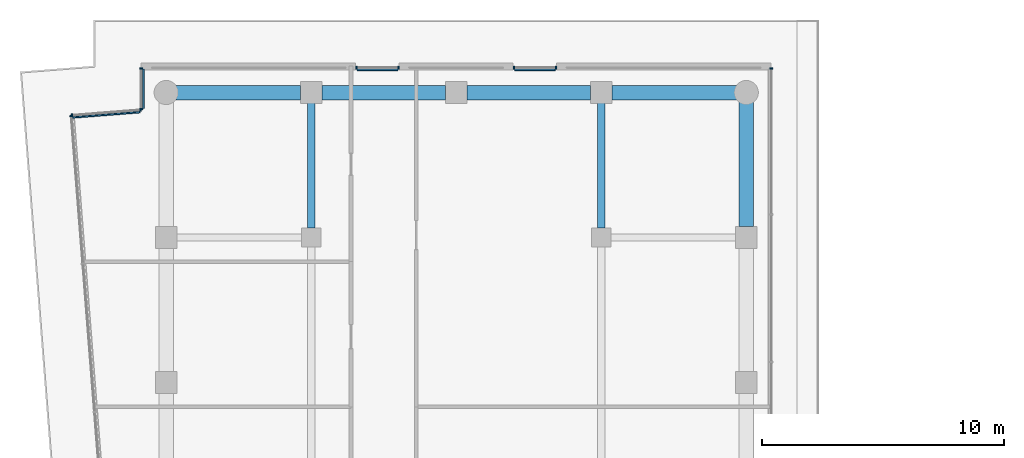
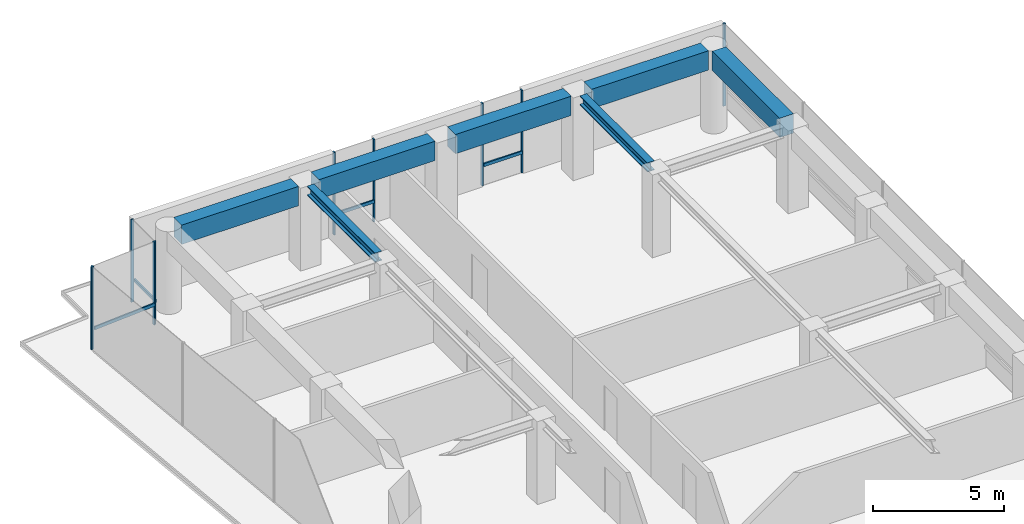
# One storey, part 18 of 25: 14 members, 7 beams, 6 elements without a shape of their own.
"""IFC4 building model written with IfcOpenShell, lengths in metres."""

from ifc_helpers import new_model, si_unit, direction, frame, origin, origin_2d, place, context, subcontext, project, spatial, rectangle, i_section, extrude, material, layer, layer_set, material_profile, profile_set, type_object, element, aggregate, save


model = new_model("IFC4")

# Units and contexts
model_context = context("Model", 3, precision=1e-05, world=origin(), true_north=direction((0.0, 1.0)))
body_context = subcontext(model_context, "Body", "Model", "MODEL_VIEW")
ifc_project = project(units=[si_unit("LENGTHUNIT", "METRE"), si_unit("AREAUNIT", "SQUARE_METRE"), si_unit("VOLUMEUNIT", "CUBIC_METRE"), si_unit("PLANEANGLEUNIT", "RADIAN"), si_unit("MASSUNIT", "GRAM", prefix="KILO")], contexts=[model_context])

# Site, building, storey
site_placement = place(None, origin())
site = spatial("IfcSite", under=ifc_project, at=site_placement, CompositionType="ELEMENT")
building_placement = place(site_placement, origin())
building = spatial("IfcBuilding", under=site, at=building_placement, Name="Welwitschia Terrace Campus", CompositionType="ELEMENT")
storey_placement = place(building_placement, frame((0.0, 0.0, 92.0)))
storey = spatial("IfcBuildingStorey", under=building, at=storey_placement, Name="L20", CompositionType="ELEMENT", Elevation=92.0)

# Beams
ifc_material_1 = material(Name="Steel S355", Category="steel")
ifc_material_profile_1 = material_profile(ifc_material_1, i_section(OverallWidth=0.306884765625, OverallDepth=0.431884765625, WebThickness=0.02099609375, FlangeThickness=0.0400390625, FilletRadius=0.027099609375, at=origin_2d()))
ifc_profile_set_1 = profile_set([ifc_material_profile_1], Name="Steel S355")
beam_type_1 = type_object("IfcBeamType", Name="Interior girder HE 400 M", PredefinedType="BEAM", material=ifc_profile_set_1)
for number, where, z_axis, x_axis, name in (
    (1, (6.0, 64.400390625, 3.634033203125), (0.0, 1.0, 0.0), (-1.0, 0.0, 0.0), "Girder GB3"),
    (2, (18.0, 64.400390625, 3.634033203125), (0.0, 1.0, 0.0), (-1.0, 0.0, 0.0), "Girder GB3"),
):
    element("IfcBeam", number, at=place(storey_placement, frame(where, z_axis=z_axis, x_axis=x_axis)), inside=storey, type_object=beam_type_1, Name=name, PredefinedType="BEAM", context=body_context, shape_type="SweptSolid", body=[
        extrude(i_section(OverallWidth=0.306884765625, OverallDepth=0.431884765625, WebThickness=0.02099609375, FlangeThickness=0.0400390625, FilletRadius=0.027099609375, at=origin_2d()), origin(), (0.0, 0.0, 1.0), 5.1591796875),
    ])

# Curtain wall, member
ifc_material_2 = material(Name="Bronze anodised aluminium", Category="aluminium")
ifc_layer = layer(ifc_material_2, 0.1201171875)
ifc_layer_set = layer_set([ifc_layer], Name="Bronze anodised aluminium")
curtain_wall_type = type_object("IfcCurtainWallType", Name="Curtain wall CW2 tower 6000", PredefinedType="NOTDEFINED", material=ifc_layer_set)
curtain_wall_1_placement = place(storey_placement, origin())
curtain_wall_1 = element("IfcCurtainWall", 3, at=curtain_wall_1_placement, inside=storey, type_object=curtain_wall_type, Name="CW L20.0.0", PredefinedType="NOTDEFINED")
ifc_material_3 = material(Name="Bronze anodised aluminium", Category="aluminium")
ifc_material_profile_2 = material_profile(ifc_material_3, rectangle(XDim=0.1201171875, YDim=0.06005859375, at=origin_2d()))
ifc_profile_set_2 = profile_set([ifc_material_profile_2], Name="Bronze anodised aluminium")
member_type_1 = type_object("IfcMemberType", Name="Mullion 60x120", PredefinedType="MULLION", material=ifc_profile_set_2)
member_1_placement = place(storey_placement, frame((-3.92431640625, 69.023193359375, 0.0), z_axis=(0.0, 0.0, 1.0), x_axis=(0.996917333733, 0.078459095728, 0.0)))
member_1 = element("IfcMember", 4, at=member_1_placement, type_object=member_type_1, Name="Mullion L20.0.0.0", PredefinedType="MULLION", context=body_context, shape_type="SweptSolid", body=[
    extrude(rectangle(XDim=0.1201171875, YDim=0.06005859375, at=origin_2d()), origin(), (0.0, 0.0, 1.0), 3.85009765625),
])
aggregate(curtain_wall_1, [member_1])

curtain_wall_2_placement = place(storey_placement, origin())
curtain_wall_2 = element("IfcCurtainWall", 5, at=curtain_wall_2_placement, inside=storey, type_object=curtain_wall_type, Name="CW L20.10.0", PredefinedType="NOTDEFINED")
member_2_placement = place(storey_placement, frame((25.030029296875, 71.0, 0.0), z_axis=(0.0, 0.0, 1.0), x_axis=(-1.0, 0.0, 0.0)))
member_2 = element("IfcMember", 6, at=member_2_placement, type_object=member_type_1, Name="Mullion L20.10.0.6", PredefinedType="MULLION", context=body_context, shape_type="SweptSolid", body=[
    extrude(rectangle(XDim=0.1201171875, YDim=0.06005859375, at=origin_2d()), origin(), (0.0, 0.0, 1.0), 3.85009765625),
])
aggregate(curtain_wall_2, [member_2])

# Curtain wall, members
curtain_wall_3_placement = place(storey_placement, origin())
curtain_wall_3 = element("IfcCurtainWall", 7, at=curtain_wall_3_placement, inside=storey, type_object=curtain_wall_type, Name="CW L20.11.S0", PredefinedType="NOTDEFINED")
member_3_placement = place(storey_placement, frame((16.12744140625, 71.030029296875, 0.0), z_axis=(0.0, 0.0, 1.0), x_axis=(0.0, -1.0, 0.0)))
member_3 = element("IfcMember", 8, at=member_3_placement, type_object=member_type_1, Name="Mullion L20.11.S0.0", PredefinedType="MULLION", context=body_context, shape_type="SweptSolid", body=[
    extrude(rectangle(XDim=0.1201171875, YDim=0.06005859375, at=origin_2d()), origin(), (0.0, 0.0, 1.0), 3.85009765625),
])
member_4_placement = place(storey_placement, frame((14.387451171875, 71.030029296875, 0.0), z_axis=(0.0, 0.0, 1.0), x_axis=(0.0, -1.0, 0.0)))
member_4 = element("IfcMember", 9, at=member_4_placement, type_object=member_type_1, Name="Mullion L20.11.S0.1", PredefinedType="MULLION", context=body_context, shape_type="SweptSolid", body=[
    extrude(rectangle(XDim=0.1201171875, YDim=0.06005859375, at=origin_2d()), origin(), (0.0, 0.0, 1.0), 3.85009765625),
])

curtain_wall_4_placement = place(storey_placement, origin())
curtain_wall_4 = element("IfcCurtainWall", 10, at=curtain_wall_4_placement, inside=storey, type_object=curtain_wall_type, Name="CW L20.11.S1", PredefinedType="NOTDEFINED")
member_5_placement = place(storey_placement, frame((9.612548828125, 71.030029296875, 0.0), z_axis=(0.0, 0.0, 1.0), x_axis=(0.0, -1.0, 0.0)))
member_5 = element("IfcMember", 11, at=member_5_placement, type_object=member_type_1, Name="Mullion L20.11.S1.0", PredefinedType="MULLION", context=body_context, shape_type="SweptSolid", body=[
    extrude(rectangle(XDim=0.1201171875, YDim=0.06005859375, at=origin_2d()), origin(), (0.0, 0.0, 1.0), 3.85009765625),
])
member_6_placement = place(storey_placement, frame((7.87255859375, 71.030029296875, 0.0), z_axis=(0.0, 0.0, 1.0), x_axis=(0.0, -1.0, 0.0)))
member_6 = element("IfcMember", 12, at=member_6_placement, type_object=member_type_1, Name="Mullion L20.11.S1.1", PredefinedType="MULLION", context=body_context, shape_type="SweptSolid", body=[
    extrude(rectangle(XDim=0.1201171875, YDim=0.06005859375, at=origin_2d()), origin(), (0.0, 0.0, 1.0), 3.85009765625),
])

curtain_wall_5_placement = place(storey_placement, origin())
curtain_wall_5 = element("IfcCurtainWall", 13, at=curtain_wall_5_placement, inside=storey, type_object=curtain_wall_type, Name="CW L20.12.0", PredefinedType="NOTDEFINED")
member_7_placement = place(storey_placement, frame((-1.030029296875, 71.0, 0.0), z_axis=(0.0, 0.0, 1.0), x_axis=(1.0, 0.0, 0.0)))
member_7 = element("IfcMember", 14, at=member_7_placement, type_object=member_type_1, Name="Mullion L20.12.0.0", PredefinedType="MULLION", context=body_context, shape_type="SweptSolid", body=[
    extrude(rectangle(XDim=0.1201171875, YDim=0.06005859375, at=origin_2d()), origin(), (0.0, 0.0, 1.0), 3.85009765625),
])
member_8_placement = place(storey_placement, frame((-1.030029296875, 69.31103515625, 0.0), z_axis=(0.0, 0.0, 1.0), x_axis=(1.0, 0.0, 0.0)))
member_8 = element("IfcMember", 15, at=member_8_placement, type_object=member_type_1, Name="Mullion L20.12.0.1", PredefinedType="MULLION", context=body_context, shape_type="SweptSolid", body=[
    extrude(rectangle(XDim=0.1201171875, YDim=0.06005859375, at=origin_2d()), origin(), (0.0, 0.0, 1.0), 3.85009765625),
])

curtain_wall_6_placement = place(storey_placement, origin())
curtain_wall_6 = element("IfcCurtainWall", 16, at=curtain_wall_6_placement, inside=storey, type_object=curtain_wall_type, Name="CW L20.13.0", PredefinedType="NOTDEFINED")
member_9_placement = place(storey_placement, frame((-1.059814453125, 69.27880859375, 0.0), z_axis=(0.0, 0.0, 1.0), x_axis=(0.078459095728, -0.996917333733, 0.0)))
member_9 = element("IfcMember", 17, at=member_9_placement, type_object=member_type_1, Name="Mullion L20.13.0.0", PredefinedType="MULLION", context=body_context, shape_type="SweptSolid", body=[
    extrude(rectangle(XDim=0.1201171875, YDim=0.06005859375, at=origin_2d()), origin(), (0.0, 0.0, 1.0), 3.85009765625),
])
member_10_placement = place(storey_placement, frame((-3.896728515625, 69.055419921875, 0.0), z_axis=(0.0, 0.0, 1.0), x_axis=(0.078459095728, -0.996917333733, 0.0)))
member_10 = element("IfcMember", 18, at=member_10_placement, type_object=member_type_1, Name="Mullion L20.13.0.1", PredefinedType="MULLION", context=body_context, shape_type="SweptSolid", body=[
    extrude(rectangle(XDim=0.1201171875, YDim=0.06005859375, at=origin_2d()), origin(), (0.0, 0.0, 1.0), 3.85009765625),
])

# Beams
ifc_material_4 = material(Name="Concrete C60/75", Category="concrete")
ifc_material_profile_3 = material_profile(ifc_material_4, rectangle(XDim=0.60009765625, YDim=0.89990234375, at=origin_2d()))
ifc_profile_set_3 = profile_set([ifc_material_profile_3], Name="Concrete C60/75")
beam_type_2 = type_object("IfcBeamType", Name="Ring spandrel 600x900", PredefinedType="SPANDREL", material=ifc_profile_set_3)
for number, where, z_axis, x_axis, name in (
    (19, (24.0, 64.450439453125, 3.39990234375), (0.0, 1.0, 0.0), (-1.0, 0.0, 0.0), "Spandrel SP2"),
    (20, (23.599609375, 70.0, 3.39990234375), (-1.0, 0.0, 0.0), (0.0, -1.0, 0.0), "Spandrel SP2"),
):
    element("IfcBeam", number, at=place(storey_placement, frame(where, z_axis=z_axis, x_axis=x_axis)), inside=storey, type_object=beam_type_2, Name=name, PredefinedType="SPANDREL", context=body_context, shape_type="SweptSolid", body=[
        extrude(rectangle(XDim=0.60009765625, YDim=0.89990234375, at=origin_2d()), origin(), (0.0, 0.0, 1.0), 5.149169921875),
    ])
for number, where, z_axis, x_axis, name in (
    (21, (17.549560546875, 70.0, 3.39990234375), (-1.0, 0.0, 0.0), (0.0, -1.0, 0.0), "Spandrel SP2"),
    (22, (11.549560546875, 70.0, 3.39990234375), (-1.0, 0.0, 0.0), (0.0, -1.0, 0.0), "Spandrel SP2"),
):
    element("IfcBeam", number, at=place(storey_placement, frame(where, z_axis=z_axis, x_axis=x_axis)), inside=storey, type_object=beam_type_2, Name=name, PredefinedType="SPANDREL", context=body_context, shape_type="SweptSolid", body=[
        extrude(rectangle(XDim=0.60009765625, YDim=0.89990234375, at=origin_2d()), origin(), (0.0, 0.0, 1.0), 5.09912109375),
    ])
beam_placement = place(storey_placement, frame((5.549560546875, 70.0, 3.39990234375), z_axis=(-1.0, 0.0, 0.0), x_axis=(0.0, -1.0, 0.0)))
element("IfcBeam", 23, at=beam_placement, inside=storey, type_object=beam_type_2, Name="Spandrel SP2", PredefinedType="SPANDREL", context=body_context, shape_type="SweptSolid", body=[
    extrude(rectangle(XDim=0.60009765625, YDim=0.89990234375, at=origin_2d()), origin(), (0.0, 0.0, 1.0), 5.149169921875),
])

# Member
ifc_material_5 = material(Name="Bronze anodised aluminium", Category="aluminium")
ifc_material_profile_4 = material_profile(ifc_material_5, rectangle(XDim=0.06005859375, YDim=0.14990234375, at=origin_2d()))
ifc_profile_set_4 = profile_set([ifc_material_profile_4], Name="Bronze anodised aluminium")
member_type_2 = type_object("IfcMemberType", Name="Transom 60x150", PredefinedType="USERDEFINED", material=ifc_profile_set_4)
member_11_placement = place(storey_placement, frame((16.097412109375, 70.93994140625, 1.0), z_axis=(-1.0, 0.0, 0.0), x_axis=(0.0, -1.0, 0.0)))
member_11 = element("IfcMember", 24, at=member_11_placement, type_object=member_type_2, Name="Transom L20.11.S0", ObjectType="TRANSOM", PredefinedType="USERDEFINED", context=body_context, shape_type="SweptSolid", body=[
    extrude(rectangle(XDim=0.06005859375, YDim=0.14990234375, at=origin_2d()), origin(), (0.0, 0.0, 1.0), 1.679931640625),
])

aggregate(curtain_wall_3, [member_3, member_4, member_11])

member_12_placement = place(storey_placement, frame((9.58251953125, 70.93994140625, 1.0), z_axis=(-1.0, 0.0, 0.0), x_axis=(0.0, -1.0, 0.0)))
member_12 = element("IfcMember", 25, at=member_12_placement, type_object=member_type_2, Name="Transom L20.11.S1", ObjectType="TRANSOM", PredefinedType="USERDEFINED", context=body_context, shape_type="SweptSolid", body=[
    extrude(rectangle(XDim=0.06005859375, YDim=0.14990234375, at=origin_2d()), origin(), (0.0, 0.0, 1.0), 1.679931640625),
])

aggregate(curtain_wall_4, [member_5, member_6, member_12])

member_13_placement = place(storey_placement, frame((-0.93994140625, 70.969970703125, 1.0), z_axis=(0.0, -1.0, 0.0), x_axis=(1.0, 0.0, 0.0)))
member_13 = element("IfcMember", 26, at=member_13_placement, type_object=member_type_2, Name="Transom L20.12.0", ObjectType="TRANSOM", PredefinedType="USERDEFINED", context=body_context, shape_type="SweptSolid", body=[
    extrude(rectangle(XDim=0.06005859375, YDim=0.14990234375, at=origin_2d()), origin(), (0.0, 0.0, 1.0), 1.62890625),
])

aggregate(curtain_wall_5, [member_7, member_8, member_13])

member_14_placement = place(storey_placement, frame((-1.082763671875, 69.186767578125, 1.0), z_axis=(-0.996911525769, -0.078532858017, 0.0), x_axis=(0.078532858017, -0.996911525769, 0.0)))
member_14 = element("IfcMember", 27, at=member_14_placement, type_object=member_type_2, Name="Transom L20.13.0", ObjectType="TRANSOM", PredefinedType="USERDEFINED", context=body_context, shape_type="SweptSolid", body=[
    extrude(rectangle(XDim=0.06005859375, YDim=0.14990234375, at=origin_2d()), origin(), (0.0, 0.0, 1.0), 2.785400390625),
])

aggregate(curtain_wall_6, [member_9, member_10, member_14])

save(model, "model.ifc")
